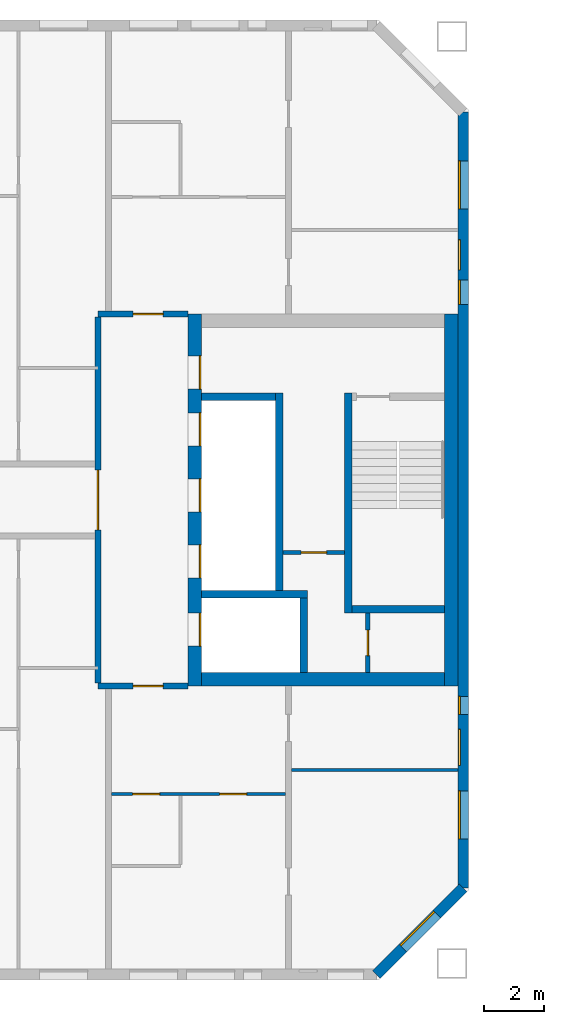
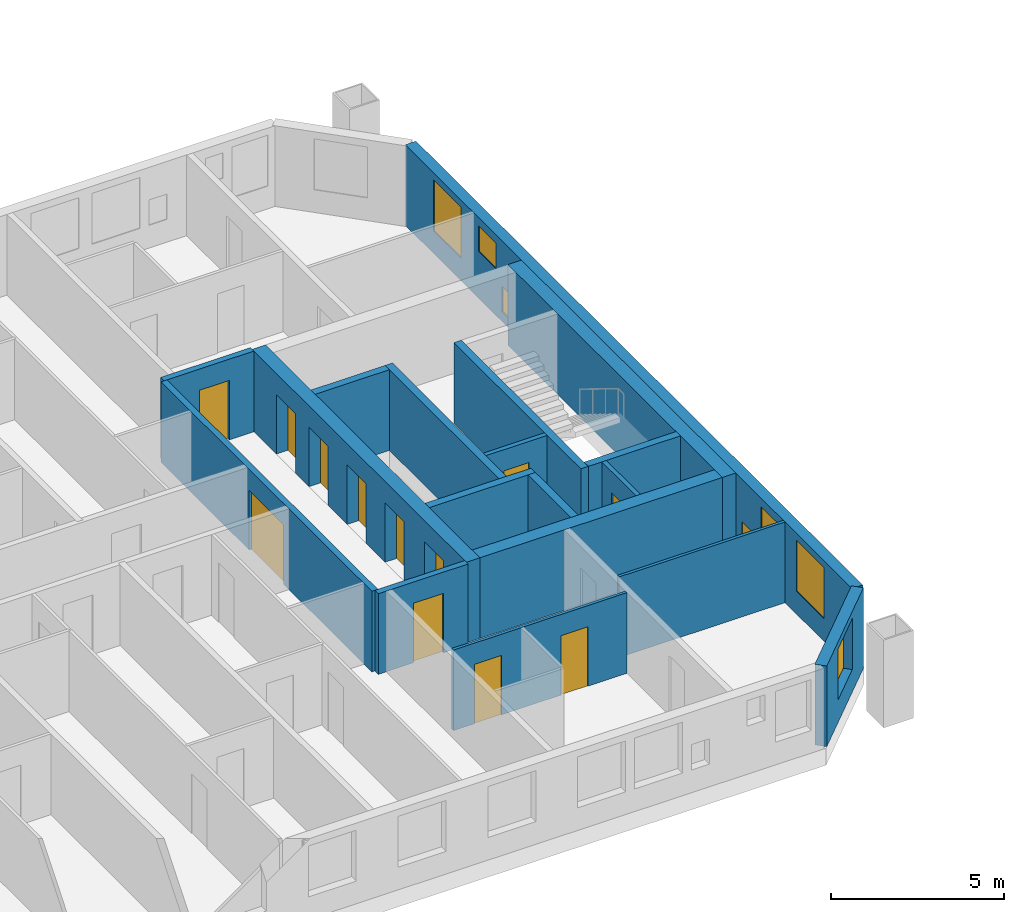
# One storey, part 7 of 16: 18 walls, 12 doors, 7 windows, 19 openings.
"""IFC4 building model written with IfcOpenShell, lengths in metres."""

from ifc_helpers import new_model, si_unit, direction, frame, frame_2d, origin, place, context, subcontext, project, spatial, rectangle, extrude, material, layer, layer_set, type_object, element, fill, save


model = new_model("IFC4")

# Units and contexts
model_context = context("Model", 3, precision=1e-05, world=origin(), true_north=direction((0.0, 1.0)))
body_context = subcontext(model_context, "Body", "Model", "MODEL_VIEW")
ifc_project = project(units=[si_unit("LENGTHUNIT", "METRE"), si_unit("AREAUNIT", "SQUARE_METRE"), si_unit("VOLUMEUNIT", "CUBIC_METRE"), si_unit("PLANEANGLEUNIT", "RADIAN"), si_unit("MASSUNIT", "GRAM", prefix="KILO")], contexts=[model_context])

# Site, building, storey
site_placement = place(None, origin())
site = spatial("IfcSite", under=ifc_project, at=site_placement, CompositionType="ELEMENT")
building_placement = place(site_placement, origin())
building = spatial("IfcBuilding", under=site, at=building_placement, Name="Tuart Gate Housing", CompositionType="ELEMENT")
storey_placement = place(building_placement, frame((0.0, 0.0, 175.800048828125)))
storey = spatial("IfcBuildingStorey", under=building, at=storey_placement, Name="L49", CompositionType="ELEMENT", Elevation=175.800048828125)

# Wall, opening, window
ifc_material_1 = material(Name="Brick", Category="masonry")
ifc_layer_1 = layer(ifc_material_1, 0.360107421875)
ifc_layer_set_1 = layer_set([ifc_layer_1], Name="Brick pier and spandrel wall 360")
wall_type_1 = type_object("IfcWallType", Name="Brick pier and spandrel wall 360", PredefinedType="STANDARD", material=ifc_layer_set_1)
wall_1_placement = place(storey_placement, frame((72.92529296875, 54.179931640625, 0.0), z_axis=(0.0, 0.0, 1.0), x_axis=(0.707106781187, 0.707106781187, 0.0)))
wall_1 = element("IfcWall", 1, at=wall_1_placement, inside=storey, type_object=wall_type_1, Name="External wall A-SE L49", PredefinedType="STANDARD", context=body_context, shape_type="SweptSolid", body=[
    extrude(rectangle(XDim=4.09375, YDim=0.360107421875, at=frame_2d((2.046875, 0.0))), origin(), (0.0, 0.0, 1.0), 2.849853515625),
])
opening_1_placement = place(wall_1_placement, frame((1.2470703125, 0.0, 0.800048828125)))
opening_1 = element("IfcOpeningElement", 2, at=opening_1_placement, cuts=wall_1, Name="Opening W1", PredefinedType="OPENING", context=body_context, shape_type="SweptSolid", body=[
    extrude(rectangle(XDim=1.60009765625, YDim=1.800048828125, at=frame_2d((0.800048828125, 0.89990234375))), frame((0.0, 0.18994140625, 0.0), z_axis=(0.0, -1.0, 0.0), x_axis=(1.0, 0.0, 0.0)), (0.0, 0.0, 1.0), 0.380126953125),
])
ifc_material_2 = material(Name="Aluminium frame with clear glass", Category="aluminium")
window_type_1 = type_object("IfcWindowType", Name="Punched window 1600 x 1800", PartitioningType="SINGLE_PANEL", PredefinedType="WINDOW", material=ifc_material_2)
window_1_placement = place(opening_1_placement, origin())
window_1 = element("IfcWindow", 3, at=window_1_placement, inside=storey, type_object=window_type_1, Name="Window W1", OverallHeight=1.800048828125, OverallWidth=1.60009765625, PartitioningType="SINGLE_PANEL", PredefinedType="WINDOW", context=body_context, shape_type="SweptSolid", body=[
    extrude(rectangle(XDim=1.60009765625, YDim=1.800048828125, at=frame_2d((0.800048828125, 0.89990234375))), frame((0.0, 0.150146484375, 0.0), z_axis=(0.0, -1.0, 0.0), x_axis=(1.0, 0.0, 0.0)), (0.0, 0.0, 1.0), 0.06005859375),
])
fill(opening_1, window_1)

# Wall, openings, windows
wall_2_placement = place(storey_placement, frame((75.820068359375, 57.07470703125, 0.0), z_axis=(0.0, 0.0, 1.0), x_axis=(0.0, 1.0, 0.0)))
wall_2 = element("IfcWall", 4, at=wall_2_placement, inside=storey, type_object=wall_type_1, Name="External wall A-E L49", PredefinedType="STANDARD", context=body_context, shape_type="SweptSolid", body=[
    extrude(rectangle(XDim=25.850830078125, YDim=0.360107421875, at=frame_2d((12.92529296875, 0.0))), origin(), (0.0, 0.0, 1.0), 2.849853515625),
])
opening_2_placement = place(wall_2_placement, frame((1.62548828125, 0.0, 0.800048828125)))
opening_2 = element("IfcOpeningElement", 5, at=opening_2_placement, cuts=wall_2, Name="Opening W1", PredefinedType="OPENING", context=body_context, shape_type="SweptSolid", body=[
    extrude(rectangle(XDim=1.60009765625, YDim=1.800048828125, at=frame_2d((0.800048828125, 0.89990234375))), frame((0.0, 0.18994140625, 0.0), z_axis=(0.0, -1.0, 0.0), x_axis=(1.0, 0.0, 0.0)), (0.0, 0.0, 1.0), 0.380126953125),
])
opening_3_placement = place(wall_2_placement, frame((4.075439453125, 0.0, 1.64990234375)))
opening_3 = element("IfcOpeningElement", 6, at=opening_3_placement, cuts=wall_2, Name="Opening W1T", PredefinedType="OPENING", context=body_context, shape_type="SweptSolid", body=[
    extrude(rectangle(XDim=1.199951171875, YDim=0.89990234375, at=frame_2d((0.60009765625, 0.449951171875))), frame((0.0, 0.18994140625, 0.0), z_axis=(0.0, -1.0, 0.0), x_axis=(1.0, 0.0, 0.0)), (0.0, 0.0, 1.0), 0.380126953125),
])
opening_4_placement = place(wall_2_placement, frame((19.450439453125, 0.0, 0.35009765625)))
opening_4 = element("IfcOpeningElement", 7, at=opening_4_placement, cuts=wall_2, Name="Opening W1V", PredefinedType="OPENING", context=body_context, shape_type="SweptSolid", body=[
    extrude(rectangle(XDim=0.800048828125, YDim=0.89990234375, at=frame_2d((0.39990234375, 0.449951171875))), frame((0.0, 0.18994140625, 0.0), z_axis=(0.0, -1.0, 0.0), x_axis=(1.0, 0.0, 0.0)), (0.0, 0.0, 1.0), 0.380126953125),
])
opening_5_placement = place(wall_2_placement, frame((22.62548828125, 0.0, 0.800048828125)))
opening_5 = element("IfcOpeningElement", 8, at=opening_5_placement, cuts=wall_2, Name="Opening W1", PredefinedType="OPENING", context=body_context, shape_type="SweptSolid", body=[
    extrude(rectangle(XDim=1.60009765625, YDim=1.800048828125, at=frame_2d((0.800048828125, 0.89990234375))), frame((0.0, 0.18994140625, 0.0), z_axis=(0.0, -1.0, 0.0), x_axis=(1.0, 0.0, 0.0)), (0.0, 0.0, 1.0), 0.380126953125),
])
opening_6_placement = place(wall_2_placement, frame((5.775390625, 0.0, 0.449951171875)))
opening_6 = element("IfcOpeningElement", 9, at=opening_6_placement, cuts=wall_2, Name="Opening W1W", PredefinedType="OPENING", context=body_context, shape_type="SweptSolid", body=[
    extrude(rectangle(XDim=0.60009765625, YDim=0.89990234375, at=frame_2d((0.300048828125, 0.449951171875))), frame((0.0, 0.18994140625, 0.0), z_axis=(0.0, -1.0, 0.0), x_axis=(1.0, 0.0, 0.0)), (0.0, 0.0, 1.0), 0.380126953125),
])
opening_7_placement = place(wall_2_placement, frame((20.600341796875, 0.0, 1.64990234375)))
opening_7 = element("IfcOpeningElement", 10, at=opening_7_placement, cuts=wall_2, Name="Opening W1U", PredefinedType="OPENING", context=body_context, shape_type="SweptSolid", body=[
    extrude(rectangle(XDim=1.0, YDim=0.89990234375, at=frame_2d((0.5, 0.449951171875))), frame((0.0, 0.18994140625, 0.0), z_axis=(0.0, -1.0, 0.0), x_axis=(1.0, 0.0, 0.0)), (0.0, 0.0, 1.0), 0.380126953125),
])
ifc_material_3 = material(Name="Aluminium frame with clear glass", Category="aluminium")
window_type_2 = type_object("IfcWindowType", Name="Punched window 1000 x 900", PartitioningType="SINGLE_PANEL", PredefinedType="WINDOW", material=ifc_material_3)
window_2_placement = place(opening_7_placement, origin())
window_2 = element("IfcWindow", 11, at=window_2_placement, inside=storey, type_object=window_type_2, Name="Window W1U", OverallHeight=0.89990234375, OverallWidth=1.0, PartitioningType="SINGLE_PANEL", PredefinedType="WINDOW", context=body_context, shape_type="SweptSolid", body=[
    extrude(rectangle(XDim=1.0, YDim=0.89990234375, at=frame_2d((0.5, 0.449951171875))), frame((0.0, 0.150146484375, 0.0), z_axis=(0.0, -1.0, 0.0), x_axis=(1.0, 0.0, 0.0)), (0.0, 0.0, 1.0), 0.06005859375),
])
fill(opening_7, window_2)
ifc_material_4 = material(Name="Aluminium frame with clear glass", Category="aluminium")
window_type_3 = type_object("IfcWindowType", Name="Punched window 1200 x 900", PartitioningType="SINGLE_PANEL", PredefinedType="WINDOW", material=ifc_material_4)
window_3_placement = place(opening_3_placement, origin())
window_3 = element("IfcWindow", 12, at=window_3_placement, inside=storey, type_object=window_type_3, Name="Window W1T", OverallHeight=0.89990234375, OverallWidth=1.199951171875, PartitioningType="SINGLE_PANEL", PredefinedType="WINDOW", context=body_context, shape_type="SweptSolid", body=[
    extrude(rectangle(XDim=1.199951171875, YDim=0.89990234375, at=frame_2d((0.60009765625, 0.449951171875))), frame((0.0, 0.150146484375, 0.0), z_axis=(0.0, -1.0, 0.0), x_axis=(1.0, 0.0, 0.0)), (0.0, 0.0, 1.0), 0.06005859375),
])
fill(opening_3, window_3)
window_4_placement = place(opening_2_placement, origin())
window_4 = element("IfcWindow", 13, at=window_4_placement, inside=storey, type_object=window_type_1, Name="Window W1", OverallHeight=1.800048828125, OverallWidth=1.60009765625, PartitioningType="SINGLE_PANEL", PredefinedType="WINDOW", context=body_context, shape_type="SweptSolid", body=[
    extrude(rectangle(XDim=1.60009765625, YDim=1.800048828125, at=frame_2d((0.800048828125, 0.89990234375))), frame((0.0, 0.150146484375, 0.0), z_axis=(0.0, -1.0, 0.0), x_axis=(1.0, 0.0, 0.0)), (0.0, 0.0, 1.0), 0.06005859375),
])
fill(opening_2, window_4)
window_5_placement = place(opening_5_placement, origin())
window_5 = element("IfcWindow", 14, at=window_5_placement, inside=storey, type_object=window_type_1, Name="Window W1", OverallHeight=1.800048828125, OverallWidth=1.60009765625, PartitioningType="SINGLE_PANEL", PredefinedType="WINDOW", context=body_context, shape_type="SweptSolid", body=[
    extrude(rectangle(XDim=1.60009765625, YDim=1.800048828125, at=frame_2d((0.800048828125, 0.89990234375))), frame((0.0, 0.150146484375, 0.0), z_axis=(0.0, -1.0, 0.0), x_axis=(1.0, 0.0, 0.0)), (0.0, 0.0, 1.0), 0.06005859375),
])
fill(opening_5, window_5)
ifc_material_5 = material(Name="Aluminium frame with clear glass", Category="aluminium")
window_type_4 = type_object("IfcWindowType", Name="Punched window 600 x 900", PartitioningType="SINGLE_PANEL", PredefinedType="WINDOW", material=ifc_material_5)
window_6_placement = place(opening_6_placement, origin())
window_6 = element("IfcWindow", 15, at=window_6_placement, inside=storey, type_object=window_type_4, Name="Window W1W", OverallHeight=0.89990234375, OverallWidth=0.60009765625, PartitioningType="SINGLE_PANEL", PredefinedType="WINDOW", context=body_context, shape_type="SweptSolid", body=[
    extrude(rectangle(XDim=0.60009765625, YDim=0.89990234375, at=frame_2d((0.300048828125, 0.449951171875))), frame((0.0, 0.150146484375, 0.0), z_axis=(0.0, -1.0, 0.0), x_axis=(1.0, 0.0, 0.0)), (0.0, 0.0, 1.0), 0.06005859375),
])
fill(opening_6, window_6)
ifc_material_6 = material(Name="Aluminium frame with clear glass", Category="aluminium")
window_type_5 = type_object("IfcWindowType", Name="Punched window 800 x 900", PartitioningType="SINGLE_PANEL", PredefinedType="WINDOW", material=ifc_material_6)
window_7_placement = place(opening_4_placement, origin())
window_7 = element("IfcWindow", 16, at=window_7_placement, inside=storey, type_object=window_type_5, Name="Window W1V", OverallHeight=0.89990234375, OverallWidth=0.800048828125, PartitioningType="SINGLE_PANEL", PredefinedType="WINDOW", context=body_context, shape_type="SweptSolid", body=[
    extrude(rectangle(XDim=0.800048828125, YDim=0.89990234375, at=frame_2d((0.39990234375, 0.449951171875))), frame((0.0, 0.150146484375, 0.0), z_axis=(0.0, -1.0, 0.0), x_axis=(1.0, 0.0, 0.0)), (0.0, 0.0, 1.0), 0.06005859375),
])
fill(opening_4, window_7)

# Wall, opening, door
ifc_material_7 = material(Name="Plasterboard partition")
ifc_layer_2 = layer(ifc_material_7, 0.14990234375)
ifc_layer_set_2 = layer_set([ifc_layer_2], Name="Core partition 150")
wall_type_2 = type_object("IfcWallType", Name="Core partition 150", PredefinedType="PARTITIONING", material=ifc_layer_set_2)
wall_3_placement = place(storey_placement, frame((69.81494140625, 68.25, 0.0), z_axis=(0.0, 0.0, 1.0), x_axis=(1.0, 0.0, 0.0)))
wall_3 = element("IfcWall", 17, at=wall_3_placement, inside=storey, type_object=wall_type_2, Name="Core partition AG.3", PredefinedType="PARTITIONING", context=body_context, shape_type="SweptSolid", body=[
    extrude(rectangle(XDim=2.050048828125, YDim=0.14990234375, at=frame_2d((1.02490234375, 0.0))), origin(), (0.0, 0.0, 1.0), 2.849853515625),
])
opening_8_placement = place(wall_3_placement, frame((0.60009765625, 0.0, 0.0)))
opening_8 = element("IfcOpeningElement", 18, at=opening_8_placement, cuts=wall_3, Name="Opening D1768", PredefinedType="OPENING", context=body_context, shape_type="SweptSolid", body=[
    extrude(rectangle(XDim=0.85009765625, YDim=2.10009765625, at=frame_2d((0.425048828125, 1.050048828125))), frame((0.0, 0.0849609375, 0.0), z_axis=(0.0, -1.0, 0.0), x_axis=(1.0, 0.0, 0.0)), (0.0, 0.0, 1.0), 0.169921875),
])
ifc_material_8 = material(Name="Steel fire door", Category="steel")
door_type_1 = type_object("IfcDoorType", Name="Riser door 850 x 2100 RH", OperationType="SINGLE_SWING_RIGHT", PredefinedType="DOOR", material=ifc_material_8)
door_1_placement = place(opening_8_placement, frame((0.85009765625, 0.0, 0.0), z_axis=(0.0, 0.0, 1.0), x_axis=(-1.0, 0.0, 0.0)))
door_1 = element("IfcDoor", 19, at=door_1_placement, inside=storey, type_object=door_type_1, Name="Service room door AG.E1", OperationType="SINGLE_SWING_RIGHT", OverallHeight=2.10009765625, OverallWidth=0.85009765625, PredefinedType="DOOR", context=body_context, shape_type="SweptSolid", body=[
    extrude(rectangle(XDim=0.85009765625, YDim=2.10009765625, at=frame_2d((0.425048828125, 1.050048828125))), frame((0.0, 0.025146484375, 0.0), z_axis=(0.0, -1.0, 0.0), x_axis=(1.0, 0.0, 0.0)), (0.0, 0.0, 1.0), 0.050048828125),
])
fill(opening_8, door_1)

wall_4_placement = place(storey_placement, frame((72.639892578125, 64.25, 0.0), z_axis=(0.0, 0.0, 1.0), x_axis=(0.0, 1.0, 0.0)))
wall_4 = element("IfcWall", 20, at=wall_4_placement, inside=storey, type_object=wall_type_2, Name="Core partition AG.9", PredefinedType="PARTITIONING", context=body_context, shape_type="SweptSolid", body=[
    extrude(rectangle(XDim=1.97509765625, YDim=0.14990234375, at=frame_2d((0.987548828125, 0.0))), origin(), (0.0, 0.0, 1.0), 2.849853515625),
])
opening_9_placement = place(wall_4_placement, frame((0.5625, 0.0, 0.0)))
opening_9 = element("IfcOpeningElement", 21, at=opening_9_placement, cuts=wall_4, Name="Opening D1770", PredefinedType="OPENING", context=body_context, shape_type="SweptSolid", body=[
    extrude(rectangle(XDim=0.85009765625, YDim=2.10009765625, at=frame_2d((0.425048828125, 1.050048828125))), frame((0.0, 0.0849609375, 0.0), z_axis=(0.0, -1.0, 0.0), x_axis=(1.0, 0.0, 0.0)), (0.0, 0.0, 1.0), 0.169921875),
])
ifc_material_9 = material(Name="Steel fire door", Category="steel")
door_type_2 = type_object("IfcDoorType", Name="Service door 850 x 2100", OperationType="SINGLE_SWING_LEFT", PredefinedType="DOOR", material=ifc_material_9)
door_2_placement = place(opening_9_placement, origin())
door_2 = element("IfcDoor", 22, at=door_2_placement, inside=storey, type_object=door_type_2, Name="Service room door AG.E2", OperationType="SINGLE_SWING_LEFT", OverallHeight=2.10009765625, OverallWidth=0.85009765625, PredefinedType="DOOR", context=body_context, shape_type="SweptSolid", body=[
    extrude(rectangle(XDim=0.85009765625, YDim=2.10009765625, at=frame_2d((0.425048828125, 1.050048828125))), frame((0.0, 0.02490234375, 0.0), z_axis=(0.0, -1.0, 0.0), x_axis=(1.0, 0.0, 0.0)), (0.0, 0.0, 1.0), 0.050048828125),
])
fill(opening_9, door_2)

# Walls
ifc_material_10 = material(Name="Concrete C40", Category="concrete")
ifc_layer_3 = layer(ifc_material_10, 0.25)
ifc_layer_set_3 = layer_set([ifc_layer_3], Name="Core wall 250 C40")
wall_type_3 = type_object("IfcWallType", Name="Core wall 250 C40", PredefinedType="SHEAR", material=ifc_layer_set_3)
wall_5_placement = place(storey_placement, frame((72.114990234375, 66.35009765625, 0.0), z_axis=(0.0, 0.0, 1.0), x_axis=(1.0, 0.0, 0.0)))
element("IfcWall", 23, at=wall_5_placement, inside=storey, type_object=wall_type_3, Name="Core wall AG.1", PredefinedType="SHEAR", context=body_context, shape_type="SweptSolid", body=[
    extrude(rectangle(XDim=3.074951171875, YDim=0.25, at=frame_2d((1.53759765625, 0.0))), origin(), (0.0, 0.0, 1.0), 2.849853515625),
])
wall_6_placement = place(storey_placement, frame((67.090087890625, 66.85009765625, 0.0), z_axis=(0.0, 0.0, 1.0), x_axis=(1.0, 0.0, 0.0)))
element("IfcWall", 24, at=wall_6_placement, inside=storey, type_object=wall_type_3, Name="Core wall AG.2", PredefinedType="SHEAR", context=body_context, shape_type="SweptSolid", body=[
    extrude(rectangle(XDim=3.544921875, YDim=0.25, at=frame_2d((1.7724609375, 0.0))), origin(), (0.0, 0.0, 1.0), 2.849853515625),
])
wall_7_placement = place(storey_placement, frame((67.090087890625, 73.449951171875, 0.0), z_axis=(0.0, 0.0, 1.0), x_axis=(1.0, 0.0, 0.0)))
element("IfcWall", 25, at=wall_7_placement, inside=storey, type_object=wall_type_3, Name="Core wall AG.4", PredefinedType="SHEAR", context=body_context, shape_type="SweptSolid", body=[
    extrude(rectangle(XDim=2.474853515625, YDim=0.25, at=frame_2d((1.2373046875, 0.0))), origin(), (0.0, 0.0, 1.0), 2.849853515625),
])
wall_8_placement = place(storey_placement, frame((69.68994140625, 66.97509765625, 0.0), z_axis=(0.0, 0.0, 1.0), x_axis=(0.0, 1.0, 0.0)))
element("IfcWall", 26, at=wall_8_placement, inside=storey, type_object=wall_type_3, Name="Core wall AG.6", PredefinedType="SHEAR", context=body_context, shape_type="SweptSolid", body=[
    extrude(rectangle(XDim=6.599853515625, YDim=0.25, at=frame_2d((3.2998046875, 0.0))), origin(), (0.0, 0.0, 1.0), 2.849853515625),
])
wall_9_placement = place(storey_placement, frame((70.510009765625, 64.25, 0.0), z_axis=(0.0, 0.0, 1.0), x_axis=(0.0, 1.0, 0.0)))
element("IfcWall", 27, at=wall_9_placement, inside=storey, type_object=wall_type_3, Name="Core wall AG.7", PredefinedType="SHEAR", context=body_context, shape_type="SweptSolid", body=[
    extrude(rectangle(XDim=2.47509765625, YDim=0.25, at=frame_2d((1.237548828125, 0.0))), origin(), (0.0, 0.0, 1.0), 2.849853515625),
])
wall_10_placement = place(storey_placement, frame((71.989990234375, 66.22509765625, 0.0), z_axis=(0.0, 0.0, 1.0), x_axis=(0.0, 1.0, 0.0)))
element("IfcWall", 28, at=wall_10_placement, inside=storey, type_object=wall_type_3, Name="Core wall AG.8", PredefinedType="SHEAR", context=body_context, shape_type="SweptSolid", body=[
    extrude(rectangle(XDim=7.349853515625, YDim=0.25, at=frame_2d((3.6748046875, 0.0))), origin(), (0.0, 0.0, 1.0), 2.849853515625),
])

# Wall, openings, doors
ifc_material_11 = material(Name="Concrete C40", Category="concrete")
ifc_layer_4 = layer(ifc_material_11, 0.449951171875)
ifc_layer_set_4 = layer_set([ifc_layer_4], Name="Core wall 450 C40")
wall_type_4 = type_object("IfcWallType", Name="Core wall 450 C40", PredefinedType="SHEAR", material=ifc_layer_set_4)
wall_11_placement = place(storey_placement, frame((66.864990234375, 63.800048828125, 0.0), z_axis=(0.0, 0.0, 1.0), x_axis=(0.0, 1.0, 0.0)))
wall_11 = element("IfcWall", 29, at=wall_11_placement, inside=storey, type_object=wall_type_4, Name="Core wall AG front", PredefinedType="SHEAR", context=body_context, shape_type="SweptSolid", body=[
    extrude(rectangle(XDim=12.39990234375, YDim=0.449951171875, at=frame_2d((6.199951171875, 0.0))), origin(), (0.0, 0.0, 1.0), 2.849853515625),
])
opening_10_placement = place(wall_11_placement, frame((1.324951171875, 0.0, 0.0)))
opening_10 = element("IfcOpeningElement", 30, at=opening_10_placement, cuts=wall_11, Name="Opening LD-FA1", PredefinedType="OPENING", context=body_context, shape_type="SweptSolid", body=[
    extrude(rectangle(XDim=1.10009765625, YDim=2.10009765625, at=frame_2d((0.550048828125, 1.050048828125))), frame((0.0, 0.23486328125, 0.0), z_axis=(0.0, -1.0, 0.0), x_axis=(1.0, 0.0, 0.0)), (0.0, 0.0, 1.0), 0.469970703125),
])
opening_11_placement = place(wall_11_placement, frame((3.60009765625, 0.0, 0.0)))
opening_11 = element("IfcOpeningElement", 31, at=opening_11_placement, cuts=wall_11, Name="Opening LD-LA1", PredefinedType="OPENING", context=body_context, shape_type="SweptSolid", body=[
    extrude(rectangle(XDim=1.10009765625, YDim=2.10009765625, at=frame_2d((0.550048828125, 1.050048828125))), frame((0.0, 0.23486328125, 0.0), z_axis=(0.0, -1.0, 0.0), x_axis=(1.0, 0.0, 0.0)), (0.0, 0.0, 1.0), 0.469970703125),
])
opening_12_placement = place(wall_11_placement, frame((5.800048828125, 0.0, 0.0)))
opening_12 = element("IfcOpeningElement", 32, at=opening_12_placement, cuts=wall_11, Name="Opening LD-LA2", PredefinedType="OPENING", context=body_context, shape_type="SweptSolid", body=[
    extrude(rectangle(XDim=1.10009765625, YDim=2.10009765625, at=frame_2d((0.550048828125, 1.050048828125))), frame((0.0, 0.23486328125, 0.0), z_axis=(0.0, -1.0, 0.0), x_axis=(1.0, 0.0, 0.0)), (0.0, 0.0, 1.0), 0.469970703125),
])
opening_13_placement = place(wall_11_placement, frame((8.0, 0.0, 0.0)))
opening_13 = element("IfcOpeningElement", 33, at=opening_13_placement, cuts=wall_11, Name="Opening LD-LA3", PredefinedType="OPENING", context=body_context, shape_type="SweptSolid", body=[
    extrude(rectangle(XDim=1.10009765625, YDim=2.10009765625, at=frame_2d((0.550048828125, 1.050048828125))), frame((0.0, 0.23486328125, 0.0), z_axis=(0.0, -1.0, 0.0), x_axis=(1.0, 0.0, 0.0)), (0.0, 0.0, 1.0), 0.469970703125),
])
opening_14_placement = place(wall_11_placement, frame((9.89990234375, 0.0, 0.0)))
opening_14 = element("IfcOpeningElement", 34, at=opening_14_placement, cuts=wall_11, Name="Opening D1764", PredefinedType="OPENING", context=body_context, shape_type="SweptSolid", body=[
    extrude(rectangle(XDim=1.10009765625, YDim=2.10009765625, at=frame_2d((0.550048828125, 1.050048828125))), frame((0.0, 0.23486328125, 0.0), z_axis=(0.0, -1.0, 0.0), x_axis=(1.0, 0.0, 0.0)), (0.0, 0.0, 1.0), 0.469970703125),
])
ifc_material_12 = material(Name="Stainless steel", Category="steel")
door_type_3 = type_object("IfcDoorType", Name="Landing door 1100 x 2100", OperationType="DOUBLE_DOOR_SLIDING", PredefinedType="DOOR", material=ifc_material_12)
door_3_placement = place(opening_10_placement, origin())
door_3 = element("IfcDoor", 35, at=door_3_placement, inside=storey, type_object=door_type_3, Name="Lift landing door FA1", OperationType="DOUBLE_DOOR_SLIDING", OverallHeight=2.10009765625, OverallWidth=1.10009765625, PredefinedType="DOOR", context=body_context, shape_type="SweptSolid", body=[
    extrude(rectangle(XDim=1.10009765625, YDim=2.10009765625, at=frame_2d((0.550048828125, 1.050048828125))), frame((0.0, -0.16015625, 0.0), z_axis=(0.0, -1.0, 0.0), x_axis=(1.0, 0.0, 0.0)), (0.0, 0.0, 1.0), 0.050048828125),
])
fill(opening_10, door_3)
door_4_placement = place(opening_11_placement, origin())
door_4 = element("IfcDoor", 36, at=door_4_placement, inside=storey, type_object=door_type_3, Name="Lift landing door LA1", OperationType="DOUBLE_DOOR_SLIDING", OverallHeight=2.10009765625, OverallWidth=1.10009765625, PredefinedType="DOOR", context=body_context, shape_type="SweptSolid", body=[
    extrude(rectangle(XDim=1.10009765625, YDim=2.10009765625, at=frame_2d((0.550048828125, 1.050048828125))), frame((0.0, -0.16015625, 0.0), z_axis=(0.0, -1.0, 0.0), x_axis=(1.0, 0.0, 0.0)), (0.0, 0.0, 1.0), 0.050048828125),
])
fill(opening_11, door_4)
door_5_placement = place(opening_12_placement, origin())
door_5 = element("IfcDoor", 37, at=door_5_placement, inside=storey, type_object=door_type_3, Name="Lift landing door LA2", OperationType="DOUBLE_DOOR_SLIDING", OverallHeight=2.10009765625, OverallWidth=1.10009765625, PredefinedType="DOOR", context=body_context, shape_type="SweptSolid", body=[
    extrude(rectangle(XDim=1.10009765625, YDim=2.10009765625, at=frame_2d((0.550048828125, 1.050048828125))), frame((0.0, -0.16015625, 0.0), z_axis=(0.0, -1.0, 0.0), x_axis=(1.0, 0.0, 0.0)), (0.0, 0.0, 1.0), 0.050048828125),
])
fill(opening_12, door_5)
door_6_placement = place(opening_13_placement, origin())
door_6 = element("IfcDoor", 38, at=door_6_placement, inside=storey, type_object=door_type_3, Name="Lift landing door LA3", OperationType="DOUBLE_DOOR_SLIDING", OverallHeight=2.10009765625, OverallWidth=1.10009765625, PredefinedType="DOOR", context=body_context, shape_type="SweptSolid", body=[
    extrude(rectangle(XDim=1.10009765625, YDim=2.10009765625, at=frame_2d((0.550048828125, 1.050048828125))), frame((0.0, -0.16015625, 0.0), z_axis=(0.0, -1.0, 0.0), x_axis=(1.0, 0.0, 0.0)), (0.0, 0.0, 1.0), 0.050048828125),
])
fill(opening_13, door_6)
ifc_material_13 = material(Name="Steel fire door", Category="steel")
door_type_4 = type_object("IfcDoorType", Name="Lobby door 1100 x 2100 RH", OperationType="SINGLE_SWING_RIGHT", PredefinedType="DOOR", material=ifc_material_13)
door_7_placement = place(opening_14_placement, frame((1.10009765625, 0.0, 0.0), z_axis=(0.0, 0.0, 1.0), x_axis=(-1.0, 0.0, 0.0)))
door_7 = element("IfcDoor", 39, at=door_7_placement, inside=storey, type_object=door_type_4, Name="Lobby entry door AG.EN", OperationType="SINGLE_SWING_RIGHT", OverallHeight=2.10009765625, OverallWidth=1.10009765625, PredefinedType="DOOR", context=body_context, shape_type="SweptSolid", body=[
    extrude(rectangle(XDim=1.10009765625, YDim=2.10009765625, at=frame_2d((0.550048828125, 1.050048828125))), frame((0.0, 0.210205078125, 0.0), z_axis=(0.0, -1.0, 0.0), x_axis=(1.0, 0.0, 0.0)), (0.0, 0.0, 1.0), 0.050048828125),
])
fill(opening_14, door_7)

# Walls
wall_12_placement = place(storey_placement, frame((75.4150390625, 63.800048828125, 0.0), z_axis=(0.0, 0.0, 1.0), x_axis=(0.0, 1.0, 0.0)))
element("IfcWall", 40, at=wall_12_placement, inside=storey, type_object=wall_type_4, Name="Core wall AG back", PredefinedType="SHEAR", context=body_context, shape_type="SweptSolid", body=[
    extrude(rectangle(XDim=12.39990234375, YDim=0.449951171875, at=frame_2d((6.199951171875, 0.0))), origin(), (0.0, 0.0, 1.0), 2.849853515625),
])
wall_13_placement = place(storey_placement, frame((67.090087890625, 64.02490234375, 0.0), z_axis=(0.0, 0.0, 1.0), x_axis=(1.0, 0.0, 0.0)))
element("IfcWall", 41, at=wall_13_placement, inside=storey, type_object=wall_type_4, Name="Core wall AG south", PredefinedType="SHEAR", context=body_context, shape_type="SweptSolid", body=[
    extrude(rectangle(XDim=8.099853515625, YDim=0.449951171875, at=frame_2d((4.0498046875, 0.0))), origin(), (0.0, 0.0, 1.0), 2.849853515625),
])

# Wall, opening, door
ifc_material_14 = material(Name="Concrete masonry 15 MPa", Category="masonry")
ifc_layer_5 = layer(ifc_material_14, 0.199951171875)
ifc_layer_set_5 = layer_set([ifc_layer_5], Name="Enclosure wall masonry 200")
wall_type_5 = type_object("IfcWallType", Name="Enclosure wall masonry 200", PredefinedType="PARTITIONING", material=ifc_layer_set_5)
wall_14_placement = place(storey_placement, frame((63.639892578125, 63.800048828125, 0.0), z_axis=(0.0, 0.0, 1.0), x_axis=(1.0, 0.0, 0.0)))
wall_14 = element("IfcWall", 42, at=wall_14_placement, inside=storey, type_object=wall_type_5, Name="Enclosure wall masonry 200", PredefinedType="PARTITIONING", context=body_context, shape_type="SweptSolid", body=[
    extrude(rectangle(XDim=3.0, YDim=0.199951171875, at=frame_2d((1.5, 0.0))), origin(), (0.0, 0.0, 1.0), 2.849853515625),
])
opening_15_placement = place(wall_14_placement, frame((1.179931640625, 0.0, 0.0)))
opening_15 = element("IfcOpeningElement", 43, at=opening_15_placement, cuts=wall_14, Name="Opening D1772", PredefinedType="OPENING", context=body_context, shape_type="SweptSolid", body=[
    extrude(rectangle(XDim=1.0, YDim=2.10009765625, at=frame_2d((0.5, 1.050048828125))), frame((0.0, 0.10986328125, 0.0), z_axis=(0.0, -1.0, 0.0), x_axis=(1.0, 0.0, 0.0)), (0.0, 0.0, 1.0), 0.219970703125),
])
ifc_material_15 = material(Name="Timber door leaf in steel frame", Category="steel")
door_type_5 = type_object("IfcDoorType", Name="Flat entrance door 1000 RH", OperationType="SINGLE_SWING_RIGHT", PredefinedType="DOOR", material=ifc_material_15)
door_8_placement = place(opening_15_placement, frame((1.0, 0.0, 0.0), z_axis=(0.0, 0.0, 1.0), x_axis=(-1.0, 0.0, 0.0)))
door_8 = element("IfcDoor", 44, at=door_8_placement, inside=storey, type_object=door_type_5, Name="Flat entrance door", OperationType="SINGLE_SWING_RIGHT", OverallHeight=2.10009765625, OverallWidth=1.0, PredefinedType="DOOR", context=body_context, shape_type="SweptSolid", body=[
    extrude(rectangle(XDim=1.0, YDim=2.10009765625, at=frame_2d((0.5, 1.050048828125))), frame((0.0, 0.025146484375, 0.0), z_axis=(0.0, -1.0, 0.0), x_axis=(1.0, 0.0, 0.0)), (0.0, 0.0, 1.0), 0.050048828125),
])
fill(opening_15, door_8)

wall_15_placement = place(storey_placement, frame((63.639892578125, 76.199951171875, 0.0), z_axis=(0.0, 0.0, 1.0), x_axis=(1.0, 0.0, 0.0)))
wall_15 = element("IfcWall", 45, at=wall_15_placement, inside=storey, type_object=wall_type_5, Name="Enclosure wall masonry 200", PredefinedType="PARTITIONING", context=body_context, shape_type="SweptSolid", body=[
    extrude(rectangle(XDim=3.0, YDim=0.199951171875, at=frame_2d((1.5, 0.0))), origin(), (0.0, 0.0, 1.0), 2.849853515625),
])
opening_16_placement = place(wall_15_placement, frame((1.179931640625, 0.0, 0.0)))
opening_16 = element("IfcOpeningElement", 46, at=opening_16_placement, cuts=wall_15, Name="Opening D1753", PredefinedType="OPENING", context=body_context, shape_type="SweptSolid", body=[
    extrude(rectangle(XDim=1.0, YDim=2.10009765625, at=frame_2d((0.5, 1.050048828125))), frame((0.0, 0.10986328125, 0.0), z_axis=(0.0, -1.0, 0.0), x_axis=(1.0, 0.0, 0.0)), (0.0, 0.0, 1.0), 0.219970703125),
])
ifc_material_16 = material(Name="Timber door leaf in steel frame", Category="steel")
door_type_6 = type_object("IfcDoorType", Name="Flat entrance door 1000", OperationType="SINGLE_SWING_LEFT", PredefinedType="DOOR", material=ifc_material_16)
door_9_placement = place(opening_16_placement, origin())
door_9 = element("IfcDoor", 47, at=door_9_placement, inside=storey, type_object=door_type_6, Name="Flat entrance door", OperationType="SINGLE_SWING_LEFT", OverallHeight=2.10009765625, OverallWidth=1.0, PredefinedType="DOOR", context=body_context, shape_type="SweptSolid", body=[
    extrude(rectangle(XDim=1.0, YDim=2.10009765625, at=frame_2d((0.5, 1.050048828125))), frame((0.0, 0.02490234375, 0.0), z_axis=(0.0, -1.0, 0.0), x_axis=(1.0, 0.0, 0.0)), (0.0, 0.0, 1.0), 0.050048828125),
])
fill(opening_16, door_9)

ifc_material_17 = material(Name="Plasterboard partition")
ifc_layer_6 = layer(ifc_material_17, 0.199951171875)
ifc_layer_set_6 = layer_set([ifc_layer_6], Name="Lobby wall 200")
wall_type_6 = type_object("IfcWallType", Name="Lobby wall 200", PredefinedType="PARTITIONING", material=ifc_layer_set_6)
wall_16_placement = place(storey_placement, frame((63.639892578125, 63.89990234375, 0.0), z_axis=(0.0, 0.0, 1.0), x_axis=(0.0, 1.0, 0.0)))
wall_16 = element("IfcWall", 48, at=wall_16_placement, inside=storey, type_object=wall_type_6, Name="Lift lobby wall AG", PredefinedType="PARTITIONING", context=body_context, shape_type="SweptSolid", body=[
    extrude(rectangle(XDim=12.2001953125, YDim=0.199951171875, at=frame_2d((6.10009765625, 0.0))), origin(), (0.0, 0.0, 1.0), 2.849853515625),
])
opening_17_placement = place(wall_16_placement, frame((5.10009765625, 0.0, 0.0)))
opening_17 = element("IfcOpeningElement", 49, at=opening_17_placement, cuts=wall_16, Name="Opening D1763", PredefinedType="OPENING", context=body_context, shape_type="SweptSolid", body=[
    extrude(rectangle(XDim=2.0, YDim=2.10009765625, at=frame_2d((1.0, 1.050048828125))), frame((0.0, 0.10986328125, 0.0), z_axis=(0.0, -1.0, 0.0), x_axis=(1.0, 0.0, 0.0)), (0.0, 0.0, 1.0), 0.219970703125),
])
ifc_material_18 = material(Name="Steel fire door", Category="steel")
door_type_7 = type_object("IfcDoorType", Name="Smoke door 2000 x 2100", OperationType="DOUBLE_DOOR_SINGLE_SWING", PredefinedType="DOOR", material=ifc_material_18)
door_10_placement = place(opening_17_placement, frame((2.0, 0.0, 0.0), z_axis=(0.0, 0.0, 1.0), x_axis=(-1.0, 0.0, 0.0)))
door_10 = element("IfcDoor", 50, at=door_10_placement, inside=storey, type_object=door_type_7, Name="Lift lobby smoke door AG", OperationType="DOUBLE_DOOR_SINGLE_SWING", OverallHeight=2.10009765625, OverallWidth=2.0, PredefinedType="DOOR", context=body_context, shape_type="SweptSolid", body=[
    extrude(rectangle(XDim=2.0, YDim=2.10009765625, at=frame_2d((1.0, 1.050048828125))), frame((0.0, 0.025146484375, 0.0), z_axis=(0.0, -1.0, 0.0), x_axis=(1.0, 0.0, 0.0)), (0.0, 0.0, 1.0), 0.050048828125),
])
fill(opening_17, door_10)

# Wall, openings, doors
ifc_material_19 = material(Name="Gypsum board on steel studs", Category="steel")
ifc_layer_7 = layer(ifc_material_19, 0.10009765625)
ifc_layer_set_7 = layer_set([ifc_layer_7], Name="Partition 100")
wall_type_7 = type_object("IfcWallType", Name="Partition 100", PredefinedType="PARTITIONING", material=ifc_layer_set_7)
wall_17_placement = place(storey_placement, frame((64.10009765625, 60.199951171875, 0.0), z_axis=(0.0, 0.0, 1.0), x_axis=(1.0, 0.0, 0.0)))
wall_17 = element("IfcWall", 51, at=wall_17_placement, inside=storey, type_object=wall_type_7, Name="Partition 100", PredefinedType="PARTITIONING", context=body_context, shape_type="SweptSolid", body=[
    extrude(rectangle(XDim=5.7998046875, YDim=0.10009765625, at=frame_2d((2.89990234375, 0.0))), origin(), (0.0, 0.0, 1.0), 2.849853515625),
])
opening_18_placement = place(wall_17_placement, frame((3.60009765625, 0.0, 0.0)))
opening_18 = element("IfcOpeningElement", 52, at=opening_18_placement, cuts=wall_17, Name="Opening D1784", PredefinedType="OPENING", context=body_context, shape_type="SweptSolid", body=[
    extrude(rectangle(XDim=0.89990234375, YDim=2.10009765625, at=frame_2d((0.449951171875, 1.050048828125))), frame((0.0, 0.06005859375, 0.0), z_axis=(0.0, -1.0, 0.0), x_axis=(1.0, 0.0, 0.0)), (0.0, 0.0, 1.0), 0.1201171875),
])
opening_19_placement = place(wall_17_placement, frame((0.699951171875, 0.0, 0.0)))
opening_19 = element("IfcOpeningElement", 53, at=opening_19_placement, cuts=wall_17, Name="Opening D1783", PredefinedType="OPENING", context=body_context, shape_type="SweptSolid", body=[
    extrude(rectangle(XDim=0.89990234375, YDim=2.10009765625, at=frame_2d((0.449951171875, 1.050048828125))), frame((0.0, 0.06005859375, 0.0), z_axis=(0.0, -1.0, 0.0), x_axis=(1.0, 0.0, 0.0)), (0.0, 0.0, 1.0), 0.1201171875),
])
ifc_material_20 = material(Name="Timber door leaf in steel frame", Category="steel")
door_type_8 = type_object("IfcDoorType", Name="Bathroom door 900", OperationType="SINGLE_SWING_LEFT", PredefinedType="DOOR", material=ifc_material_20)
door_11_placement = place(opening_19_placement, frame((0.89990234375, 0.0, 0.0), z_axis=(0.0, 0.0, 1.0), x_axis=(-1.0, 0.0, 0.0)))
door_11 = element("IfcDoor", 54, at=door_11_placement, inside=storey, type_object=door_type_8, Name="Bathroom door", OperationType="SINGLE_SWING_LEFT", OverallHeight=2.10009765625, OverallWidth=0.89990234375, PredefinedType="DOOR", context=body_context, shape_type="SweptSolid", body=[
    extrude(rectangle(XDim=0.89990234375, YDim=2.10009765625, at=frame_2d((0.449951171875, 1.050048828125))), frame((0.0, 0.025146484375, 0.0), z_axis=(0.0, -1.0, 0.0), x_axis=(1.0, 0.0, 0.0)), (0.0, 0.0, 1.0), 0.050048828125),
])
fill(opening_19, door_11)
ifc_material_21 = material(Name="Timber door leaf in steel frame", Category="steel")
door_type_9 = type_object("IfcDoorType", Name="Internal door 900 RH", OperationType="SINGLE_SWING_RIGHT", PredefinedType="DOOR", material=ifc_material_21)
door_12_placement = place(opening_18_placement, origin())
door_12 = element("IfcDoor", 55, at=door_12_placement, inside=storey, type_object=door_type_9, Name="Internal door", OperationType="SINGLE_SWING_RIGHT", OverallHeight=2.10009765625, OverallWidth=0.89990234375, PredefinedType="DOOR", context=body_context, shape_type="SweptSolid", body=[
    extrude(rectangle(XDim=0.89990234375, YDim=2.10009765625, at=frame_2d((0.449951171875, 1.050048828125))), frame((0.0, 0.02490234375, 0.0), z_axis=(0.0, -1.0, 0.0), x_axis=(1.0, 0.0, 0.0)), (0.0, 0.0, 1.0), 0.050048828125),
])
fill(opening_18, door_12)

# Wall
wall_18_placement = place(storey_placement, frame((70.10009765625, 61.0, 0.0), z_axis=(0.0, 0.0, 1.0), x_axis=(1.0, 0.0, 0.0)))
element("IfcWall", 56, at=wall_18_placement, inside=storey, type_object=wall_type_7, Name="Partition 100", PredefinedType="PARTITIONING", context=body_context, shape_type="SweptSolid", body=[
    extrude(rectangle(XDim=5.539794921875, YDim=0.10009765625, at=frame_2d((2.77001953125, 0.0))), origin(), (0.0, 0.0, 1.0), 2.849853515625),
])

save(model, "model.ifc")
